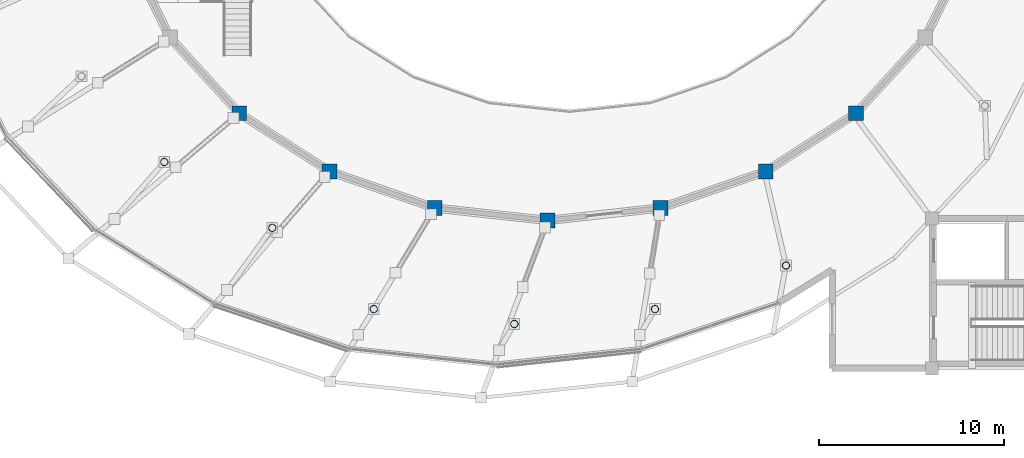
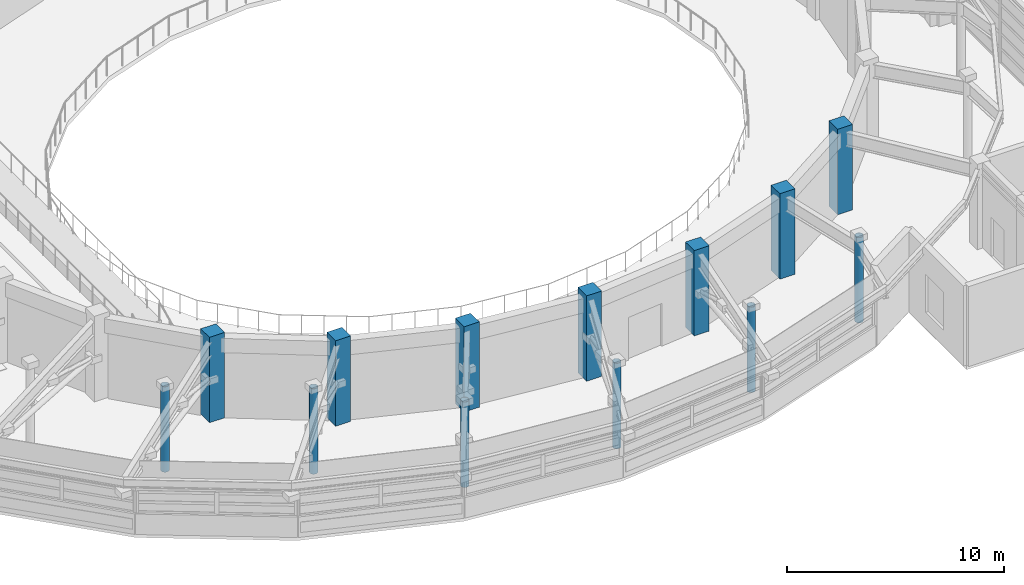
# One storey, part 1 of 58: 13 columns.
"""IFC4 building model written with IfcOpenShell, lengths in metres."""

from ifc_helpers import new_model, si_unit, direction, frame, origin, origin_2d, place, context, subcontext, project, spatial, rectangle, hollow_circle, extrude, material, material_profile, profile_set, type_object, element, save


model = new_model("IFC4")

# Units and contexts
model_context = context("Model", 3, precision=1e-05, world=origin(), true_north=direction((0.0, 1.0)))
body_context = subcontext(model_context, "Body", "Model", "MODEL_VIEW")
ifc_project = project(units=[si_unit("LENGTHUNIT", "METRE"), si_unit("AREAUNIT", "SQUARE_METRE"), si_unit("VOLUMEUNIT", "CUBIC_METRE"), si_unit("PLANEANGLEUNIT", "RADIAN"), si_unit("MASSUNIT", "GRAM", prefix="KILO")], contexts=[model_context])

# Site, building, storey
site_placement = place(None, origin())
site = spatial("IfcSite", under=ifc_project, at=site_placement, CompositionType="ELEMENT")
building_placement = place(site_placement, origin())
building = spatial("IfcBuilding", under=site, at=building_placement, Name="Parian Resonance Hall", CompositionType="ELEMENT")
storey_placement = place(building_placement, frame((0.0, 0.0, 10.199951171875)))
storey = spatial("IfcBuildingStorey", under=building, at=storey_placement, Name="L02", CompositionType="ELEMENT", Elevation=10.199951171875)

# Columns
ifc_material_1 = material(Name="Hollow structural steel S355", Category="steel")
ifc_material_profile_1 = material_profile(ifc_material_1, hollow_circle(Radius=0.203125, WallThickness=0.01611328125, at=origin_2d()), Name="CHS406.4x16")
ifc_profile_set_1 = profile_set([ifc_material_profile_1], Name="Hollow structural steel S355")
column_type_1 = type_object("IfcColumnType", Name="COL-CHS406", PredefinedType="COLUMN", material=ifc_profile_set_1)
for number, where, z_axis, x_axis, name in (
    (1, (23.259521484375, 27.36083984375, 0.0), (0.0, 0.0, 1.0), (1.0, 0.0, 0.0), "Column RNG-16 L02"),
    (2, (29.10009765625, 23.801025390625, 0.0), (0.0, 0.0, 1.0), (1.0, 0.0, 0.0), "Column RNG-17 L02"),
    (3, (34.5908203125, 19.404296875, 0.0), (0.0, 0.0, 1.0), (1.0, 0.0, 0.0), "Column RNG-18 L02"),
    (4, (42.199951171875, 18.60009765625, 0.0), (0.0, 0.0, 1.0), (1.0, 0.0, 0.0), "Column RNG-19 L02"),
    (5, (49.809326171875, 19.404296875, 0.0), (0.0, 0.0, 1.0), (1.0, 0.0, 0.0), "Column RNG-20 L02"),
    (6, (56.89990234375, 21.76171875, 0.0), (0.0, 0.0, 1.0), (1.0, 0.0, 0.0), "Column RNG-21 L02"),
):
    element("IfcColumn", number, at=place(storey_placement, frame(where, z_axis=z_axis, x_axis=x_axis)), inside=storey, type_object=column_type_1, Name=name, PredefinedType="COLUMN", context=body_context, shape_type="SweptSolid", body=[
        extrude(hollow_circle(Radius=0.203125, WallThickness=0.01611328125, at=origin_2d()), origin(), (0.0, 0.0, 1.0), 4.800048828125),
    ])
ifc_material_2 = material(Name="Concrete C40/50", Category="concrete")
ifc_material_profile_2 = material_profile(ifc_material_2, rectangle(XDim=0.800048828125, YDim=0.800048828125, at=origin_2d()), Name="RC-COL-800x800")
ifc_profile_set_2 = profile_set([ifc_material_profile_2], Name="Concrete C40/50")
column_type_2 = type_object("IfcColumnType", Name="COL-RC800", PredefinedType="COLUMN", material=ifc_profile_set_2)
for number, where, z_axis, x_axis, name in (
    (7, (27.312255859375, 29.999267578125, 0.0), (0.0, 0.0, 1.0), (1.0, 0.0, 0.0), "Column DRM-16 L02"),
    (8, (32.199951171875, 26.852783203125, 0.0), (0.0, 0.0, 1.0), (1.0, 0.0, 0.0), "Column DRM-17 L02"),
    (9, (37.891845703125, 24.874755859375, 0.0), (0.0, 0.0, 1.0), (1.0, 0.0, 0.0), "Column DRM-18 L02"),
    (10, (44.0, 24.199951171875, 0.0), (0.0, 0.0, 1.0), (1.0, 0.0, 0.0), "Column DRM-19 L02"),
    (11, (50.108154296875, 24.874755859375, 0.0), (0.0, 0.0, 1.0), (1.0, 0.0, 0.0), "Column DRM-20 L02"),
    (12, (55.800048828125, 26.852783203125, 0.0), (0.0, 0.0, 1.0), (1.0, 0.0, 0.0), "Column DRM-21 L02"),
    (13, (60.687744140625, 29.999267578125, 0.0), (0.0, 0.0, 1.0), (1.0, 0.0, 0.0), "Column DRM-22 L02"),
):
    element("IfcColumn", number, at=place(storey_placement, frame(where, z_axis=z_axis, x_axis=x_axis)), inside=storey, type_object=column_type_2, Name=name, PredefinedType="COLUMN", context=body_context, shape_type="SweptSolid", body=[
        extrude(rectangle(XDim=0.800048828125, YDim=0.800048828125, at=origin_2d()), origin(), (0.0, 0.0, 1.0), 4.800048828125),
    ])

save(model, "model.ifc")
